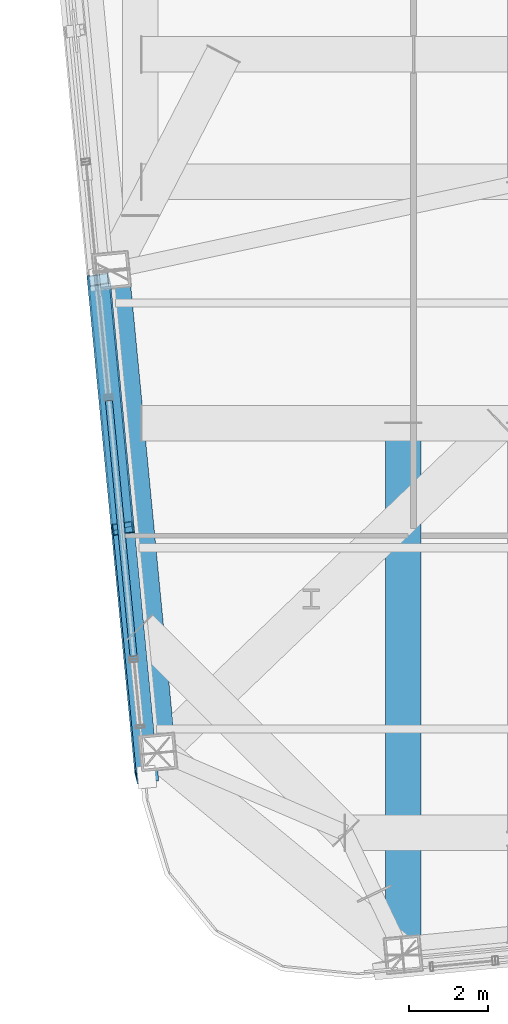
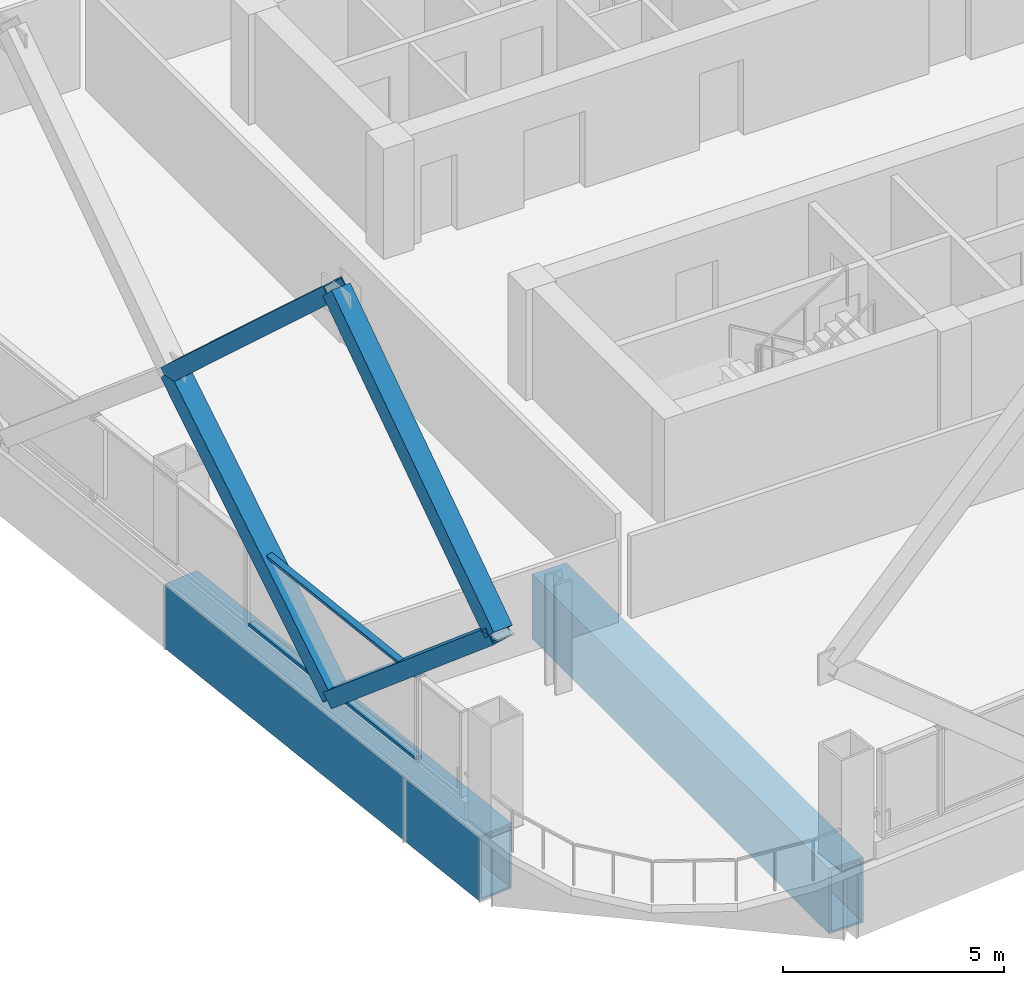
# One storey, part 4 of 42: 6 members, 2 beams, 1 element without a shape of its own.
"""IFC4 building model written with IfcOpenShell, lengths in metres."""

import ifcopenshell
import ifcopenshell.guid

model = None  # the IFC model being written
_history = None  # IfcOwnerHistory: only IFC2X3 demands one
_inside = {}  # id of a spatial element -> (the spatial element, [elements in it])
_under = {}  # id of a project, library or spatial element -> (it, [spatial elements below it])
_declared = {}  # id of a project -> (the project, [libraries it declares])
_typed = {}  # id of a type object -> (the type object, [elements of that type])
_made_of = {}  # id of a material, layer set ... -> (it, [elements and type objects made of it])


def new_model(schema):
    """Start an empty IFC model of exactly this schema.

    Asked for "IFC4X3", IfcOpenShell would pick the latest addendum, in which some entities
    have other attributes; the version numbers below select the first issue.
    IFC2X3 requires an IfcOwnerHistory on every rooted entity: one is made here for all.
    """
    global model, _history
    if schema == "IFC4X3":
        model = ifcopenshell.file(schema_version=(4, 3, 0, 0))
    else:
        model = ifcopenshell.file(schema=schema)
    _inside.clear()
    _under.clear()
    _declared.clear()
    _typed.clear()
    _made_of.clear()
    _history = None
    if model.schema == "IFC2X3":
        org = make("IfcOrganization", Name="unknown")
        user = make(
            "IfcPersonAndOrganization",
            ThePerson=make("IfcPerson", FamilyName="unknown"),
            TheOrganization=org,
        )
        app = make(
            "IfcApplication",
            ApplicationDeveloper=org,
            Version="unknown",
            ApplicationFullName="unknown",
            ApplicationIdentifier="unknown",
        )
        _history = make(
            "IfcOwnerHistory",
            OwningUser=user,
            OwningApplication=app,
            ChangeAction="ADDED",
            CreationDate=0,
        )
    return model


def make(cls, **values):
    """One entity of the class cls with the attributes given. An attribute that is None is left unset."""
    return model.create_entity(
        cls, **{name: value for name, value in values.items() if value is not None}
    )


def rooted(cls, **values):
    """An entity with a GlobalId (a new one), such as an element, a storey or a relation."""
    return make(cls, GlobalId=ifcopenshell.guid.new(), OwnerHistory=_history, **values)


def si_unit(unit_type, name, prefix=None):
    """IfcSIUnit, for example si_unit("LENGTHUNIT", "METRE", prefix="MILLI")."""
    return make("IfcSIUnit", UnitType=unit_type, Prefix=prefix, Name=name)


def assignment(units):
    """IfcUnitAssignment: the units of a project."""
    return None if units is None else make("IfcUnitAssignment", Units=units)


def point(xyz):
    """IfcCartesianPoint."""
    return None if xyz is None else make("IfcCartesianPoint", Coordinates=xyz)


def direction(xyz):
    """IfcDirection."""
    return None if xyz is None else make("IfcDirection", DirectionRatios=xyz)


def frame(location, z_axis=None, x_axis=None):
    """IfcAxis2Placement3D, a coordinate frame: its origin and axes. An axis left out is left unset."""
    return make(
        "IfcAxis2Placement3D",
        Location=point(location),
        Axis=direction(z_axis),
        RefDirection=direction(x_axis),
    )


def frame_2d(location, x_axis=None):
    """IfcAxis2Placement2D, a coordinate frame in the plane: its origin and x axis."""
    return make(
        "IfcAxis2Placement2D", Location=point(location), RefDirection=direction(x_axis)
    )


def origin():
    """The frame at (0, 0, 0) with its axes left unset."""
    return frame((0.0, 0.0, 0.0))


def origin_2d():
    """The frame at (0, 0) in the plane with its x axis left unset."""
    return frame_2d((0.0, 0.0))


def place(relative_to, where):
    """IfcLocalPlacement: puts the frame where relative to a parent placement (None: the world)."""
    return make(
        "IfcLocalPlacement", PlacementRelTo=relative_to, RelativePlacement=where
    )


def context(
    kind, dimensions, precision=None, world=None, true_north=None, identifier=None
):
    """IfcGeometricRepresentationContext, for example the 3D "Model" context."""
    return make(
        "IfcGeometricRepresentationContext",
        ContextIdentifier=identifier,
        ContextType=kind,
        CoordinateSpaceDimension=dimensions,
        Precision=precision,
        WorldCoordinateSystem=world,
        TrueNorth=true_north,
    )


def subcontext(parent, identifier, kind, view, scale=None):
    """IfcGeometricRepresentationSubContext, for example "Body" below "Model"."""
    return make(
        "IfcGeometricRepresentationSubContext",
        ContextIdentifier=identifier,
        ContextType=kind,
        ParentContext=parent,
        TargetScale=scale,
        TargetView=view,
    )


def project(units=None, contexts=None):
    """IfcProject with its units and contexts."""
    return rooted(
        "IfcProject",
        Name="project",
        RepresentationContexts=contexts,
        UnitsInContext=assignment(units),
    )


def spatial(cls, under=None, at=None, **own):
    """A site, building, storey or space (cls), placed at a placement, below another one or the project."""
    s = rooted(cls, ObjectPlacement=at, **own)
    if under is not None:
        _under.setdefault(under.id(), (under, []))[1].append(s)
    return s


def profile(cls, at=None, kind="AREA", **sizes):
    """A parametric profile (cls). Its sizes go by their IFC names, for example OverallWidth=200.0."""
    return make(cls, ProfileType=kind, Position=at, **sizes)


def hollow_rectangle(**sizes):
    """IfcRectangleHollowProfileDef."""
    return profile("IfcRectangleHollowProfileDef", **sizes)


def extrude(swept, where, along, depth):
    """IfcExtrudedAreaSolid: the profile swept, set in the frame where, extruded along a direction by depth."""
    return make(
        "IfcExtrudedAreaSolid",
        SweptArea=swept,
        Position=where,
        ExtrudedDirection=direction(along),
        Depth=depth,
    )


def shape(context_of_items, identifier, shape_type, items):
    """IfcShapeRepresentation: the items that make up one representation, for example the "Body"."""
    return make(
        "IfcShapeRepresentation",
        ContextOfItems=context_of_items,
        RepresentationIdentifier=identifier,
        RepresentationType=shape_type,
        Items=items,
    )


def material(Name=None, Category=None):
    """IfcMaterial."""
    return make("IfcMaterial", Name=Name, Category=Category)


def layer(
    of_material, thickness, ventilated=None, Name=None, Category=None, Priority=None
):
    """IfcMaterialLayer: one layer of a wall or slab, of a material (None: an air gap)."""
    return make(
        "IfcMaterialLayer",
        Material=of_material,
        LayerThickness=thickness,
        IsVentilated=ventilated,
        Name=Name,
        Category=Category,
        Priority=Priority,
    )


def layer_set(layers, Name=None):
    """IfcMaterialLayerSet."""
    return make("IfcMaterialLayerSet", MaterialLayers=layers, LayerSetName=Name)


def material_profile(
    of_material, cross_section, Name=None, Category=None, Priority=None
):
    """IfcMaterialProfile: a cross section and its material."""
    return make(
        "IfcMaterialProfile",
        Name=Name,
        Material=of_material,
        Profile=cross_section,
        Priority=Priority,
        Category=Category,
    )


def profile_set(profiles, Name=None, composite=None):
    """IfcMaterialProfileSet."""
    return make(
        "IfcMaterialProfileSet",
        Name=Name,
        MaterialProfiles=profiles,
        CompositeProfile=composite,
    )


def made_of(thing, what):
    """Note that an element or type object is made of a material, layer set ...; save() writes the relation."""
    if what is not None:
        _made_of.setdefault(what.id(), (what, []))[1].append(thing)
    return thing


def type_object(cls, material=None, **own):
    """A type object (cls), such as IfcWallType, which elements share."""
    return made_of(rooted(cls, **own), material)


def element(
    cls,
    number,
    at=None,
    inside=None,
    cuts=None,
    type_object=None,
    material=None,
    context=None,
    identifier="Body",
    shape_type=None,
    held_by="IfcProductDefinitionShape",
    body=None,
    shapes=None,
    **own,
):
    """One element of the class cls, such as IfcWall. Its Tag is "e" and its number.

    at: its placement. inside: the storey or other place that contains it. cuts: it is an
    opening in that element (IfcRelVoidsElement). A single representation is given by context,
    identifier, shape_type and body (its items); several are given by shapes. held_by: the class
    of the entity that holds the representations. save() writes the other relations.
    """
    e = rooted(cls, Tag="e%d" % number, ObjectPlacement=at, **own)
    if body is not None:
        shapes = [shape(context, identifier, shape_type, body)]
    if shapes is not None:
        e.Representation = make(held_by, Representations=shapes)
    if inside is not None:
        _inside.setdefault(inside.id(), (inside, []))[1].append(e)
    if cuts is not None:
        rooted(
            "IfcRelVoidsElement", RelatingBuildingElement=cuts, RelatedOpeningElement=e
        )
    if type_object is not None:
        _typed.setdefault(type_object.id(), (type_object, []))[1].append(e)
    return made_of(e, material)


def aggregate(whole, parts):
    """IfcRelAggregates: a whole, such as a stair, and the parts it consists of."""
    return rooted("IfcRelAggregates", RelatingObject=whole, RelatedObjects=parts)


def save(model, path):
    """Write the relations noted so far, then the file.

    IfcRelAggregates (storeys below a building ...), IfcRelContainedInSpatialStructure (elements
    in a storey), IfcRelDefinesByType, IfcRelAssociatesMaterial and IfcRelDeclares: one each for
    every whole, place, type object, material and project.
    """
    for whole, parts in _under.values():
        aggregate(whole, parts)
    for where, things in _inside.values():
        rooted(
            "IfcRelContainedInSpatialStructure",
            RelatedElements=things,
            RelatingStructure=where,
        )
    for kind, things in _typed.values():
        rooted("IfcRelDefinesByType", RelatedObjects=things, RelatingType=kind)
    for what, things in _made_of.values():
        rooted("IfcRelAssociatesMaterial", RelatedObjects=things, RelatingMaterial=what)
    for by, libraries in _declared.values():
        rooted("IfcRelDeclares", RelatingContext=by, RelatedDefinitions=libraries)
    model.write(path)


model = new_model("IFC4")

# Units and contexts
model_context = context("Model", 3, precision=1e-05, world=origin(), true_north=direction((0.0, 1.0)))
body_context = subcontext(model_context, "Body", "Model", "MODEL_VIEW")
ifc_project = project(units=[si_unit("LENGTHUNIT", "METRE"), si_unit("AREAUNIT", "SQUARE_METRE"), si_unit("VOLUMEUNIT", "CUBIC_METRE"), si_unit("PLANEANGLEUNIT", "RADIAN"), si_unit("MASSUNIT", "GRAM", prefix="KILO")], contexts=[model_context])

# Site, building, storey
site_placement = place(None, origin())
site = spatial("IfcSite", under=ifc_project, at=site_placement, CompositionType="ELEMENT")
building_placement = place(site_placement, origin())
building = spatial("IfcBuilding", under=site, at=building_placement, Name="Qhalaya Broadcast Tower", CompositionType="ELEMENT")
storey_placement = place(building_placement, frame((0.0, 0.0, 69.449951171875)))
storey = spatial("IfcBuildingStorey", under=building, at=storey_placement, Name="L19", CompositionType="ELEMENT", Elevation=69.449951171875)

# Beams
ifc_material_1 = material(Name="Structural Steel ASTM A572 Grade 50", Category="steel")
ifc_material_profile_1 = material_profile(ifc_material_1, hollow_rectangle(XDim=0.89990234375, YDim=1.800048828125, WallThickness=0.06005859375, at=origin_2d()), Name="BOX 900x1800x60")
ifc_profile_set_1 = profile_set([ifc_material_profile_1], Name="Structural Steel ASTM A572 Grade 50")
beam_type = type_object("IfcBeamType", Name="Block Cantilever Transfer Box Girder TG1", PredefinedType="USERDEFINED", material=ifc_profile_set_1)
beam_1_placement = place(storey_placement, frame((-19.861083984375, -4.875, -1.119873046875), z_axis=(0.095831866369, -0.995397535354, 0.0), x_axis=(0.995397535354, 0.095831866369, 0.0)))
element("IfcBeam", 1, at=beam_1_placement, inside=storey, type_object=beam_type, Name="L19 TG1 L19-SPR-15", ObjectType="GIRDER", PredefinedType="USERDEFINED", context=body_context, shape_type="SweptSolid", body=[
    extrude(hollow_rectangle(XDim=0.89990234375, YDim=1.800048828125, WallThickness=0.06005859375, at=origin_2d()), origin(), (0.0, 0.0, 1.0), 12.2666015625),
])
beam_2_placement = place(storey_placement, frame((-12.46533203125, -8.75, -1.119873046875), z_axis=(0.0, -1.0, 0.0), x_axis=(1.0, 0.0, 0.0)))
element("IfcBeam", 2, at=beam_2_placement, inside=storey, type_object=beam_type, Name="L19 Continuous Cantilever Transfer Box Girder 01", ObjectType="GIRDER", PredefinedType="USERDEFINED", context=body_context, shape_type="SweptSolid", body=[
    extrude(hollow_rectangle(XDim=0.89990234375, YDim=1.800048828125, WallThickness=0.06005859375, at=origin_2d()), origin(), (0.0, 0.0, 1.0), 13.462646484375),
])

# Members
ifc_material_profile_2 = material_profile(ifc_material_1, hollow_rectangle(XDim=0.419921875, YDim=0.550048828125, WallThickness=0.028076171875, at=origin_2d()), Name="BOX 420x550x28")
ifc_profile_set_2 = profile_set([ifc_material_profile_2], Name="Structural Steel ASTM A572 Grade 50")
member_type_1 = type_object("IfcMemberType", Name="Exoskeleton Diamond Diagonal Mid-Low EX2", PredefinedType="BRACE", material=ifc_profile_set_2)
for number, where, z_axis, x_axis, name in (
    (3, (-19.573486328125, -11.410888671875, 0.360107421875), (-0.073037413912, 0.758637209183, 0.647406457345), (0.157160868222, -0.632274975342, 0.758636155912), "B2 Exoskeleton Diamond Brace W3-D1"),
    (4, (-19.573486328125, -11.410888671875, 0.360107421875), (0.073066636585, -0.758635580976, 0.647405067864), (-0.157184996454, 0.632267567763, 0.758637330775), "B2 Exoskeleton Diamond Brace W3-D2"),
):
    element("IfcMember", number, at=place(storey_placement, frame(where, z_axis=z_axis, x_axis=x_axis)), inside=storey, type_object=member_type_1, Name=name, PredefinedType="BRACE", context=body_context, shape_type="SweptSolid", body=[
        extrude(hollow_rectangle(XDim=0.419921875, YDim=0.550048828125, WallThickness=0.028076171875, at=origin_2d()), origin(), (0.0, 0.0, 1.0), 8.309814453125),
    ])
for number, where, z_axis, x_axis, name in (
    (5, (-20.180419921875, -5.106689453125, 5.739990234375), (0.070340028415, -0.730619555004, 0.679151931638), (-0.160189075689, 0.663728866417, 0.730618540632), "B2 Exoskeleton Diamond Brace W3-D3"),
    (6, (-18.96630859375, -17.715087890625, 5.739990234375), (-0.070368182799, 0.730618100613, 0.6791505797), (0.160214414414, -0.663721379818, 0.730619785789), "B2 Exoskeleton Diamond Brace W3-D4"),
):
    element("IfcMember", number, at=place(storey_placement, frame(where, z_axis=z_axis, x_axis=x_axis)), inside=storey, type_object=member_type_1, Name=name, PredefinedType="BRACE", context=body_context, shape_type="SweptSolid", body=[
        extrude(hollow_rectangle(XDim=0.419921875, YDim=0.550048828125, WallThickness=0.028076171875, at=origin_2d()), origin(), (0.0, 0.0, 1.0), 8.628662109375),
    ])

# Curtain wall, members
ifc_material_2 = material(Name="Fired Architectural Terracotta", Category="masonry")
ifc_layer = layer(ifc_material_2, 0.219970703125, Name="Fired Architectural Terracotta")
ifc_layer_set = layer_set([ifc_layer], Name="Fired Architectural Terracotta")
curtain_wall_type = type_object("IfcCurtainWallType", Name="Block-Cap Unitised Terracotta Spandrel Wall CW-07", PredefinedType="NOTDEFINED", material=ifc_layer_set)
curtain_wall_placement = place(storey_placement, origin())
curtain_wall = element("IfcCurtainWall", 7, at=curtain_wall_placement, inside=storey, type_object=curtain_wall_type, Name="L19 Unitised Curtain Wall L19-CW-W6", PredefinedType="NOTDEFINED")
ifc_material_3 = material(Name="Anodised Aluminium 6063-T6", Category="aluminium")
ifc_material_profile_3 = material_profile(ifc_material_3, hollow_rectangle(XDim=0.074951171875, YDim=0.179931640625, WallThickness=0.00390625, at=origin_2d()), Name="ALU-TRN 75x180x4")
ifc_profile_set_3 = profile_set([ifc_material_profile_3], Name="Anodised Aluminium 6063-T6")
member_type_2 = type_object("IfcMemberType", Name="Unitised Curtain-Wall Transom T01", PredefinedType="USERDEFINED", material=ifc_profile_set_3)
member_1_placement = place(storey_placement, frame((-19.92529296875, -8.1728515625, 0.517578125), z_axis=(0.095847398754, -0.995396039852, 0.0), x_axis=(0.0, 0.0, 1.0)))
member_1 = element("IfcMember", 8, at=member_1_placement, type_object=member_type_2, Name="CW-07 transom 1.1", ObjectType="TRANSOM", PredefinedType="USERDEFINED", context=body_context, shape_type="SweptSolid", body=[
    extrude(hollow_rectangle(XDim=0.074951171875, YDim=0.179931640625, WallThickness=0.00390625, at=origin_2d()), origin(), (0.0, 0.0, 1.0), 6.51318359375),
])
member_2_placement = place(storey_placement, frame((-19.92529296875, -8.1728515625, 2.79248046875), z_axis=(0.095847398754, -0.995396039852, 0.0), x_axis=(0.0, 0.0, 1.0)))
member_2 = element("IfcMember", 9, at=member_2_placement, type_object=member_type_2, Name="CW-07 transom 1.2", ObjectType="TRANSOM", PredefinedType="USERDEFINED", context=body_context, shape_type="SweptSolid", body=[
    extrude(hollow_rectangle(XDim=0.074951171875, YDim=0.179931640625, WallThickness=0.00390625, at=origin_2d()), origin(), (0.0, 0.0, 1.0), 6.51318359375),
])
aggregate(curtain_wall, [member_1, member_2])

save(model, "model.ifc")
